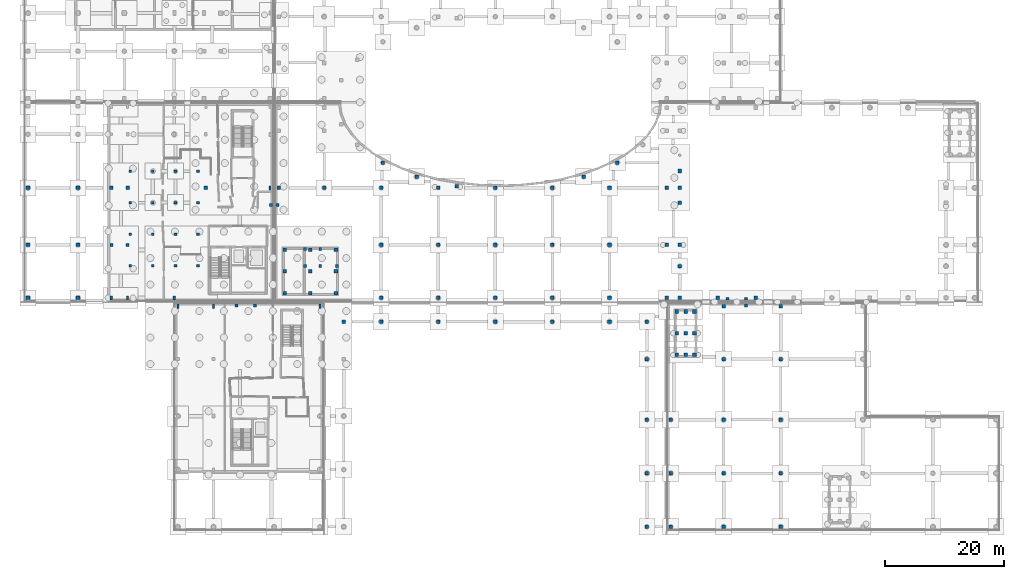
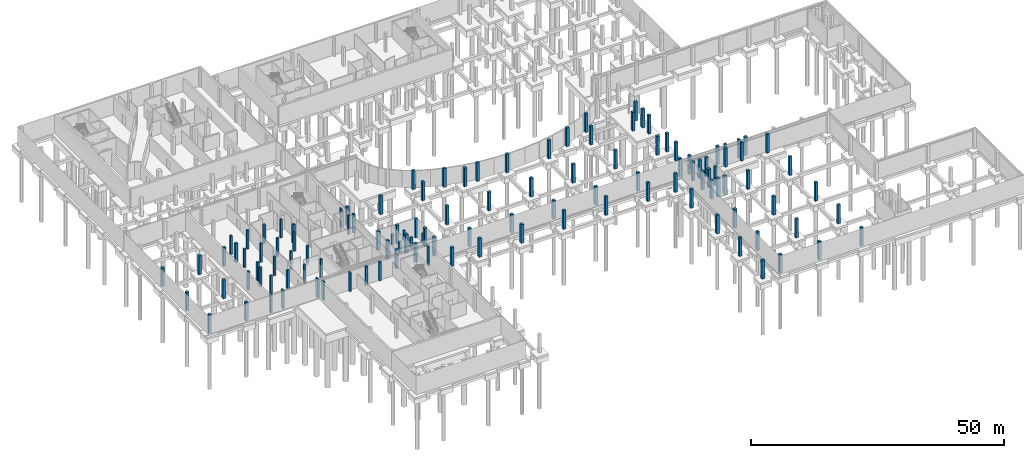
# One storey, part 12 of 40: 121 columns.
"""IFC4 building model written with IfcOpenShell, lengths in metres."""

from ifc_helpers import new_model, si_unit, direction, frame, origin, origin_2d, place, context, subcontext, project, spatial, rectangle, extrude, material, material_profile, profile_set, type_object, element, save


model = new_model("IFC4")

# Units and contexts
model_context = context("Model", 3, precision=1e-05, world=origin(), true_north=direction((0.0, 1.0)))
body_context = subcontext(model_context, "Body", "Model", "MODEL_VIEW")
ifc_project = project(units=[si_unit("LENGTHUNIT", "METRE"), si_unit("AREAUNIT", "SQUARE_METRE"), si_unit("VOLUMEUNIT", "CUBIC_METRE"), si_unit("PLANEANGLEUNIT", "RADIAN"), si_unit("MASSUNIT", "GRAM", prefix="KILO")], contexts=[model_context])

# Site, building, storey
site_placement = place(None, origin())
site = spatial("IfcSite", under=ifc_project, at=site_placement, CompositionType="ELEMENT")
building_placement = place(site_placement, origin())
building = spatial("IfcBuilding", under=site, at=building_placement, Name="Mzevani Central Library", CompositionType="ELEMENT")
storey_placement = place(building_placement, frame((0.0, 0.0, -4.5)))
storey = spatial("IfcBuildingStorey", under=building, at=storey_placement, Name="B1", CompositionType="ELEMENT", Elevation=-4.5)

# Columns
ifc_material = material(Name="Concrete C40/50", Category="concrete")
ifc_material_profile_1 = material_profile(ifc_material, rectangle(XDim=0.449951171875, YDim=0.449951171875, at=origin_2d()), Name="RC 450x450")
ifc_profile_set_1 = profile_set([ifc_material_profile_1], Name="Concrete C40/50")
column_type_1 = type_object("IfcColumnType", Name="Column RC 450x450", PredefinedType="COLUMN", material=ifc_profile_set_1)
for number, where, z_axis, x_axis, name in (
    (1, (21.800048828125, 48.5, 0.0), (0.0, 0.0, 1.0), (1.0, 0.0, 0.0), "B1 Auditorium Raker Pier 1.1"),
    (2, (25.60009765625, 48.5, 0.0), (0.0, 0.0, 1.0), (1.0, 0.0, 0.0), "B1 Auditorium Raker Pier 1.2"),
    (3, (29.39990234375, 48.5, 0.0), (0.0, 0.0, 1.0), (1.0, 0.0, 0.0), "B1 Auditorium Raker Pier 1.3"),
    (4, (33.199951171875, 48.5, 0.0), (0.0, 0.0, 1.0), (1.0, 0.0, 0.0), "B1 Auditorium Raker Pier 1.4"),
    (5, (21.800048828125, 53.800048828125, 0.0), (0.0, 0.0, 1.0), (1.0, 0.0, 0.0), "B1 Auditorium Raker Pier 2.1"),
    (6, (25.60009765625, 53.800048828125, 0.0), (0.0, 0.0, 1.0), (1.0, 0.0, 0.0), "B1 Auditorium Raker Pier 2.2"),
    (7, (29.39990234375, 53.800048828125, 0.0), (0.0, 0.0, 1.0), (1.0, 0.0, 0.0), "B1 Auditorium Raker Pier 2.3"),
    (8, (33.199951171875, 53.800048828125, 0.0), (0.0, 0.0, 1.0), (1.0, 0.0, 0.0), "B1 Auditorium Raker Pier 2.4"),
    (9, (21.800048828125, 59.10009765625, 0.0), (0.0, 0.0, 1.0), (1.0, 0.0, 0.0), "B1 Auditorium Raker Pier 3.1"),
    (10, (25.60009765625, 59.10009765625, 0.0), (0.0, 0.0, 1.0), (1.0, 0.0, 0.0), "B1 Auditorium Raker Pier 3.2"),
    (11, (29.39990234375, 59.10009765625, 0.0), (0.0, 0.0, 1.0), (1.0, 0.0, 0.0), "B1 Auditorium Raker Pier 3.3"),
    (12, (33.199951171875, 59.10009765625, 0.0), (0.0, 0.0, 1.0), (1.0, 0.0, 0.0), "B1 Auditorium Raker Pier 3.4"),
    (13, (21.800048828125, 64.39990234375, 0.0), (0.0, 0.0, 1.0), (1.0, 0.0, 0.0), "B1 Auditorium Raker Pier 4.1"),
    (14, (25.60009765625, 64.39990234375, 0.0), (0.0, 0.0, 1.0), (1.0, 0.0, 0.0), "B1 Auditorium Raker Pier 4.2"),
    (15, (29.39990234375, 64.39990234375, 0.0), (0.0, 0.0, 1.0), (1.0, 0.0, 0.0), "B1 Auditorium Raker Pier 4.3"),
    (16, (33.199951171875, 64.39990234375, 0.0), (0.0, 0.0, 1.0), (1.0, 0.0, 0.0), "B1 Auditorium Raker Pier 4.4"),
):
    element("IfcColumn", number, at=place(storey_placement, frame(where, z_axis=z_axis, x_axis=x_axis)), inside=storey, type_object=column_type_1, Name=name, PredefinedType="COLUMN", context=body_context, shape_type="SweptSolid", body=[
        extrude(rectangle(XDim=0.449951171875, YDim=0.449951171875, at=origin_2d()), origin(), (0.0, 0.0, 1.0), 4.5),
    ])
ifc_material_profile_2 = material_profile(ifc_material, rectangle(XDim=0.5, YDim=0.5, at=origin_2d()), Name="RC 500x500")
ifc_profile_set_2 = profile_set([ifc_material_profile_2], Name="Concrete C40/50")
column_type_2 = type_object("IfcColumnType", Name="Column RC 500x500", PredefinedType="COLUMN", material=ifc_profile_set_2)
for number, where, z_axis, x_axis, name in (
    (17, (18.60009765625, 52.0, 0.0), (0.0, 0.0, 1.0), (1.0, 0.0, 0.0), "B1 V5 Column C-04 (193)"),
    (18, (21.35009765625, 52.0, 0.0), (0.0, 0.0, 1.0), (1.0, 0.0, 0.0), "B1 V5 Column C-04 (198)"),
    (19, (39.64990234375, 41.85009765625, 0.0), (0.0, 0.0, 1.0), (1.0, 0.0, 0.0), "B1 Seismic Joint Corbel Column 1"),
    (20, (42.75, 41.85009765625, 0.0), (0.0, 0.0, 1.0), (1.0, 0.0, 0.0), "B1 Seismic Joint Corbel Column 2"),
    (21, (45.449951171875, 58.75, 0.0), (0.0, 0.0, 1.0), (1.0, 0.0, 0.0), "B1 Seismic Joint Corbel Column 3"),
    (22, (46.550048828125, 58.75, 0.0), (0.0, 0.0, 1.0), (1.0, 0.0, 0.0), "B1 Seismic Joint Corbel Column 5"),
    (23, (122.25, 42.949951171875, 0.0), (0.0, 0.0, 1.0), (1.0, 0.0, 0.0), "B1 Seismic Joint Corbel Column 7"),
    (24, (125.35009765625, 41.85009765625, 0.0), (0.0, 0.0, 1.0), (1.0, 0.0, 0.0), "B1 Seismic Joint Corbel Column 8"),
    (25, (125.35009765625, 42.949951171875, 0.0), (0.0, 0.0, 1.0), (1.0, 0.0, 0.0), "B1 Seismic Joint Corbel Column 9"),
):
    element("IfcColumn", number, at=place(storey_placement, frame(where, z_axis=z_axis, x_axis=x_axis)), inside=storey, type_object=column_type_2, Name=name, PredefinedType="COLUMN", context=body_context, shape_type="SweptSolid", body=[
        extrude(rectangle(XDim=0.5, YDim=0.5, at=origin_2d()), origin(), (0.0, 0.0, 1.0), 4.5),
    ])
for number, where, z_axis, x_axis, name in (
    (26, (51.14990234375, 48.449951171875, 0.0), (0.0, 0.0, 1.0), (1.0, 0.0, 0.0), "B1 Lift LF-P1 Pit Support Pedestal (226)"),
    (27, (51.14990234375, 51.35009765625, 0.0), (0.0, 0.0, 1.0), (1.0, 0.0, 0.0), "B1 Lift LF-P1 Pit Support Pedestal (227)"),
    (28, (53.75, 48.449951171875, 0.0), (0.0, 0.0, 1.0), (1.0, 0.0, 0.0), "B1 Lift LF-P1 Pit Support Pedestal (228)"),
    (29, (53.75, 51.35009765625, 0.0), (0.0, 0.0, 1.0), (1.0, 0.0, 0.0), "B1 Lift LF-P1 Pit Support Pedestal (229)"),
    (30, (56.550048828125, 48.449951171875, 0.0), (0.0, 0.0, 1.0), (1.0, 0.0, 0.0), "B1 Lift LF-P2 Pit Support Pedestal (230)"),
):
    element("IfcColumn", number, at=place(storey_placement, frame(where, z_axis=z_axis, x_axis=x_axis)), inside=storey, type_object=column_type_2, Name=name, PredefinedType="COLUMN", context=body_context, shape_type="SweptSolid", body=[
        extrude(rectangle(XDim=0.5, YDim=0.5, at=origin_2d()), origin(), (0.0, 0.0, 1.0), 2.550048828125),
    ])
ifc_material_profile_3 = material_profile(ifc_material, rectangle(XDim=0.550048828125, YDim=0.550048828125, at=origin_2d()), Name="RC 550x550")
ifc_profile_set_3 = profile_set([ifc_material_profile_3], Name="Concrete C40/50")
column_type_3 = type_object("IfcColumnType", Name="Column RC 550x550", PredefinedType="COLUMN", material=ifc_profile_set_3)
for number, where, z_axis, x_axis, name in (
    (31, (18.60009765625, 61.60009765625, 0.0), (0.0, 0.0, 1.0), (1.0, 0.0, 0.0), "B1 V5 Column C-05 (194)"),
    (32, (21.35009765625, 61.60009765625, 0.0), (0.0, 0.0, 1.0), (1.0, 0.0, 0.0), "B1 V5 Column C-05 (199)"),
    (33, (34.5, 61.60009765625, 0.0), (0.0, 0.0, 1.0), (1.0, 0.0, 0.0), "B1 V5 Column C-05 (205)"),
):
    element("IfcColumn", number, at=place(storey_placement, frame(where, z_axis=z_axis, x_axis=x_axis)), inside=storey, type_object=column_type_3, Name=name, PredefinedType="COLUMN", context=body_context, shape_type="SweptSolid", body=[
        extrude(rectangle(XDim=0.550048828125, YDim=0.550048828125, at=origin_2d()), origin(), (0.0, 0.0, 1.0), 4.5),
    ])
ifc_material_profile_4 = material_profile(ifc_material, rectangle(XDim=0.60009765625, YDim=0.60009765625, at=origin_2d()), Name="RC 600x600")
ifc_profile_set_4 = profile_set([ifc_material_profile_4], Name="Concrete C40/50")
column_type_4 = type_object("IfcColumnType", Name="Column RC 600x600", PredefinedType="COLUMN", material=ifc_profile_set_4)
for number, where, z_axis, x_axis, name in (
    (34, (46.75, 61.60009765625, 0.0), (0.0, 0.0, 1.0), (1.0, 0.0, 0.0), "B1 V1 Foundation Pedestal (1)"),
    (35, (54.39990234375, 61.60009765625, 0.0), (0.0, 0.0, 1.0), (1.0, 0.0, 0.0), "B1 V1 Foundation Pedestal (4)"),
    (36, (64.0, 43.10009765625, 0.0), (0.0, 0.0, 1.0), (1.0, 0.0, 0.0), "B1 V1 Foundation Pedestal (7)"),
    (37, (64.0, 52.0, 0.0), (0.0, 0.0, 1.0), (1.0, 0.0, 0.0), "B1 V1 Foundation Pedestal (8)"),
    (38, (64.0, 61.60009765625, 0.0), (0.0, 0.0, 1.0), (1.0, 0.0, 0.0), "B1 V1 Foundation Pedestal (9)"),
    (39, (73.60009765625, 43.10009765625, 0.0), (0.0, 0.0, 1.0), (1.0, 0.0, 0.0), "B1 V1 Foundation Pedestal (10)"),
    (40, (73.60009765625, 52.0, 0.0), (0.0, 0.0, 1.0), (1.0, 0.0, 0.0), "B1 V1 Foundation Pedestal (11)"),
    (41, (73.60009765625, 61.60009765625, 0.0), (0.0, 0.0, 1.0), (1.0, 0.0, 0.0), "B1 V1 Foundation Pedestal (12)"),
    (42, (83.199951171875, 43.10009765625, 0.0), (0.0, 0.0, 1.0), (1.0, 0.0, 0.0), "B1 V1 Foundation Pedestal (13)"),
    (43, (83.199951171875, 52.0, 0.0), (0.0, 0.0, 1.0), (1.0, 0.0, 0.0), "B1 V1 Foundation Pedestal (14)"),
    (44, (83.199951171875, 61.60009765625, 0.0), (0.0, 0.0, 1.0), (1.0, 0.0, 0.0), "B1 V1 Foundation Pedestal (15)"),
    (45, (92.800048828125, 43.10009765625, 0.0), (0.0, 0.0, 1.0), (1.0, 0.0, 0.0), "B1 V1 Foundation Pedestal (16)"),
    (46, (92.800048828125, 52.0, 0.0), (0.0, 0.0, 1.0), (1.0, 0.0, 0.0), "B1 V1 Foundation Pedestal (17)"),
    (47, (92.800048828125, 61.60009765625, 0.0), (0.0, 0.0, 1.0), (1.0, 0.0, 0.0), "B1 V1 Foundation Pedestal (18)"),
    (48, (102.39990234375, 43.10009765625, 0.0), (0.0, 0.0, 1.0), (1.0, 0.0, 0.0), "B1 V1 Foundation Pedestal (19)"),
    (49, (102.39990234375, 52.0, 0.0), (0.0, 0.0, 1.0), (1.0, 0.0, 0.0), "B1 V1 Foundation Pedestal (20)"),
    (50, (102.39990234375, 61.60009765625, 0.0), (0.0, 0.0, 1.0), (1.0, 0.0, 0.0), "B1 V1 Foundation Pedestal (21)"),
    (51, (112.0, 43.10009765625, 0.0), (0.0, 0.0, 1.0), (1.0, 0.0, 0.0), "B1 V1 Foundation Pedestal (22)"),
    (52, (112.0, 52.0, 0.0), (0.0, 0.0, 1.0), (1.0, 0.0, 0.0), "B1 V1 Foundation Pedestal (23)"),
    (53, (112.0, 61.60009765625, 0.0), (0.0, 0.0, 1.0), (1.0, 0.0, 0.0), "B1 V1 Foundation Pedestal (24)"),
    (54, (114.199951171875, 43.10009765625, 0.0), (0.0, 0.0, 1.0), (1.0, 0.0, 0.0), "B1 V1 Foundation Pedestal (27)"),
    (55, (114.199951171875, 52.0, 0.0), (0.0, 0.0, 1.0), (1.0, 0.0, 0.0), "B1 V1 Foundation Pedestal (28)"),
    (56, (114.199951171875, 61.60009765625, 0.0), (0.0, 0.0, 1.0), (1.0, 0.0, 0.0), "B1 V1 Foundation Pedestal (29)"),
    (57, (120.60009765625, 43.10009765625, 0.0), (0.0, 0.0, 1.0), (1.0, 0.0, 0.0), "B1 V1 Foundation Pedestal (38)"),
    (58, (127.0, 43.10009765625, 0.0), (0.0, 0.0, 1.0), (1.0, 0.0, 0.0), "B1 V1 Foundation Pedestal (40)"),
    (59, (114.199951171875, 48.43310546875, 0.0), (0.0, 0.0, 1.0), (1.0, 0.0, 0.0), "B1 V1 Foundation Pedestal (50)"),
    (60, (114.199951171875, 59.10009765625, 0.0), (0.0, 0.0, 1.0), (1.0, 0.0, 0.0), "B1 V1 Foundation Pedestal (52)"),
    (61, (114.199951171875, 64.43310546875, 0.0), (0.0, 0.0, 1.0), (1.0, 0.0, 0.0), "B1 V1 Foundation Pedestal (54)"),
    (62, (64.2939453125, 65.843994140625, 0.0), (0.0, 0.0, 1.0), (1.0, 0.0, 0.0), "B1 V1 Foundation Pedestal (57)"),
    (63, (69.966064453125, 63.471923828125, 0.0), (0.0, 0.0, 1.0), (1.0, 0.0, 0.0), "B1 V1 Foundation Pedestal (58)"),
    (64, (76.672119140625, 61.904052734375, 0.0), (0.0, 0.0, 1.0), (1.0, 0.0, 0.0), "B1 V1 Foundation Pedestal (59)"),
    (65, (98.033935546875, 63.471923828125, 0.0), (0.0, 0.0, 1.0), (1.0, 0.0, 0.0), "B1 V1 Foundation Pedestal (60)"),
    (66, (103.7060546875, 65.843994140625, 0.0), (0.0, 0.0, 1.0), (1.0, 0.0, 0.0), "B1 V1 Foundation Pedestal (61)"),
    (67, (4.60009765625, 43.10009765625, 0.0), (0.0, 0.0, 1.0), (1.0, 0.0, 0.0), "B1 V5 Foundation Pedestal (141)"),
    (68, (4.60009765625, 52.0, 0.0), (0.0, 0.0, 1.0), (1.0, 0.0, 0.0), "B1 V5 Foundation Pedestal (142)"),
    (69, (4.60009765625, 61.60009765625, 0.0), (0.0, 0.0, 1.0), (1.0, 0.0, 0.0), "B1 V5 Foundation Pedestal (143)"),
    (70, (13.0, 43.10009765625, 0.0), (0.0, 0.0, 1.0), (1.0, 0.0, 0.0), "B1 V5 Foundation Pedestal (146)"),
    (71, (13.0, 52.0, 0.0), (0.0, 0.0, 1.0), (1.0, 0.0, 0.0), "B1 V5 Foundation Pedestal (147)"),
    (72, (13.0, 61.60009765625, 0.0), (0.0, 0.0, 1.0), (1.0, 0.0, 0.0), "B1 V5 Foundation Pedestal (148)"),
    (73, (112.699951171875, 4.60009765625, 0.0), (0.0, 0.0, 1.0), (1.0, 0.0, 0.0), "B1 V6 Foundation Pedestal (151)"),
    (74, (112.699951171875, 13.60009765625, 0.0), (0.0, 0.0, 1.0), (1.0, 0.0, 0.0), "B1 V6 Foundation Pedestal (152)"),
    (75, (112.699951171875, 22.60009765625, 0.0), (0.0, 0.0, 1.0), (1.0, 0.0, 0.0), "B1 V6 Foundation Pedestal (153)"),
    (76, (121.60009765625, 4.60009765625, 0.0), (0.0, 0.0, 1.0), (1.0, 0.0, 0.0), "B1 V6 Foundation Pedestal (154)"),
    (77, (121.60009765625, 13.60009765625, 0.0), (0.0, 0.0, 1.0), (1.0, 0.0, 0.0), "B1 V6 Foundation Pedestal (155)"),
    (78, (121.60009765625, 22.60009765625, 0.0), (0.0, 0.0, 1.0), (1.0, 0.0, 0.0), "B1 V6 Foundation Pedestal (156)"),
    (79, (121.60009765625, 32.800048828125, 0.0), (0.0, 0.0, 1.0), (1.0, 0.0, 0.0), "B1 V6 Foundation Pedestal (157)"),
    (80, (121.60009765625, 41.699951171875, 0.0), (0.0, 0.0, 1.0), (1.0, 0.0, 0.0), "B1 V6 Foundation Pedestal (158)"),
    (81, (131.199951171875, 4.60009765625, 0.0), (0.0, 0.0, 1.0), (1.0, 0.0, 0.0), "B1 V6 Foundation Pedestal (159)"),
    (82, (131.199951171875, 13.60009765625, 0.0), (0.0, 0.0, 1.0), (1.0, 0.0, 0.0), "B1 V6 Foundation Pedestal (160)"),
    (83, (131.199951171875, 22.60009765625, 0.0), (0.0, 0.0, 1.0), (1.0, 0.0, 0.0), "B1 V6 Foundation Pedestal (161)"),
    (84, (131.199951171875, 32.800048828125, 0.0), (0.0, 0.0, 1.0), (1.0, 0.0, 0.0), "B1 V6 Foundation Pedestal (162)"),
    (85, (131.199951171875, 41.699951171875, 0.0), (0.0, 0.0, 1.0), (1.0, 0.0, 0.0), "B1 V6 Foundation Pedestal (163)"),
    (86, (57.699951171875, 39.10009765625, 0.0), (0.0, 0.0, 1.0), (1.0, 0.0, 0.0), "B1 COL Foundation Pedestal (179)"),
    (87, (108.699951171875, 4.60009765625, 0.0), (0.0, 0.0, 1.0), (1.0, 0.0, 0.0), "B1 COL Foundation Pedestal (180)"),
    (88, (108.699951171875, 13.60009765625, 0.0), (0.0, 0.0, 1.0), (1.0, 0.0, 0.0), "B1 COL Foundation Pedestal (181)"),
    (89, (108.699951171875, 22.60009765625, 0.0), (0.0, 0.0, 1.0), (1.0, 0.0, 0.0), "B1 COL Foundation Pedestal (182)"),
    (90, (108.699951171875, 32.800048828125, 0.0), (0.0, 0.0, 1.0), (1.0, 0.0, 0.0), "B1 COL Foundation Pedestal (183)"),
    (91, (108.699951171875, 39.10009765625, 0.0), (0.0, 0.0, 1.0), (1.0, 0.0, 0.0), "B1 COL Foundation Pedestal (184)"),
    (92, (64.0, 39.10009765625, 0.0), (0.0, 0.0, 1.0), (1.0, 0.0, 0.0), "B1 COL Foundation Pedestal (185)"),
    (93, (73.60009765625, 39.10009765625, 0.0), (0.0, 0.0, 1.0), (1.0, 0.0, 0.0), "B1 COL Foundation Pedestal (186)"),
    (94, (83.199951171875, 39.10009765625, 0.0), (0.0, 0.0, 1.0), (1.0, 0.0, 0.0), "B1 COL Foundation Pedestal (187)"),
    (95, (92.800048828125, 39.10009765625, 0.0), (0.0, 0.0, 1.0), (1.0, 0.0, 0.0), "B1 COL Foundation Pedestal (188)"),
    (96, (102.39990234375, 39.10009765625, 0.0), (0.0, 0.0, 1.0), (1.0, 0.0, 0.0), "B1 COL Foundation Pedestal (189)"),
    (97, (47.800048828125, 43.89990234375, 0.0), (0.0, 0.0, 1.0), (1.0, 0.0, 0.0), "B1 V1 Foundation Pedestal (190)"),
    (98, (47.800048828125, 47.550048828125, 0.0), (0.0, 0.0, 1.0), (1.0, 0.0, 0.0), "B1 V1 Foundation Pedestal (191)"),
    (99, (47.800048828125, 51.199951171875, 0.0), (0.0, 0.0, 1.0), (1.0, 0.0, 0.0), "B1 V1 Foundation Pedestal (192)"),
    (100, (52.10009765625, 43.89990234375, 0.0), (0.0, 0.0, 1.0), (1.0, 0.0, 0.0), "B1 V1 Foundation Pedestal (193)"),
    (101, (52.10009765625, 47.550048828125, 0.0), (0.0, 0.0, 1.0), (1.0, 0.0, 0.0), "B1 V1 Foundation Pedestal (194)"),
    (102, (52.10009765625, 51.199951171875, 0.0), (0.0, 0.0, 1.0), (1.0, 0.0, 0.0), "B1 V1 Foundation Pedestal (195)"),
    (103, (56.39990234375, 43.89990234375, 0.0), (0.0, 0.0, 1.0), (1.0, 0.0, 0.0), "B1 V1 Foundation Pedestal (196)"),
    (104, (56.39990234375, 47.550048828125, 0.0), (0.0, 0.0, 1.0), (1.0, 0.0, 0.0), "B1 V1 Foundation Pedestal (197)"),
    (105, (56.39990234375, 51.199951171875, 0.0), (0.0, 0.0, 1.0), (1.0, 0.0, 0.0), "B1 V1 Foundation Pedestal (198)"),
    (106, (113.699951171875, 33.5, 0.0), (0.0, 0.0, 1.0), (1.0, 0.0, 0.0), "B1 V6 Foundation Pedestal (208)"),
    (107, (113.699951171875, 37.14990234375, 0.0), (0.0, 0.0, 1.0), (1.0, 0.0, 0.0), "B1 V6 Foundation Pedestal (209)"),
    (108, (113.699951171875, 40.800048828125, 0.0), (0.0, 0.0, 1.0), (1.0, 0.0, 0.0), "B1 V6 Foundation Pedestal (210)"),
    (109, (115.199951171875, 33.5, 0.0), (0.0, 0.0, 1.0), (1.0, 0.0, 0.0), "B1 V6 Foundation Pedestal (211)"),
    (110, (115.199951171875, 37.14990234375, 0.0), (0.0, 0.0, 1.0), (1.0, 0.0, 0.0), "B1 V6 Foundation Pedestal (212)"),
    (111, (115.199951171875, 40.800048828125, 0.0), (0.0, 0.0, 1.0), (1.0, 0.0, 0.0), "B1 V6 Foundation Pedestal (213)"),
    (112, (116.699951171875, 33.5, 0.0), (0.0, 0.0, 1.0), (1.0, 0.0, 0.0), "B1 V6 Foundation Pedestal (214)"),
    (113, (116.699951171875, 37.14990234375, 0.0), (0.0, 0.0, 1.0), (1.0, 0.0, 0.0), "B1 V6 Foundation Pedestal (215)"),
    (114, (116.699951171875, 40.800048828125, 0.0), (0.0, 0.0, 1.0), (1.0, 0.0, 0.0), "B1 V6 Foundation Pedestal (216)"),
):
    element("IfcColumn", number, at=place(storey_placement, frame(where, z_axis=z_axis, x_axis=x_axis)), inside=storey, type_object=column_type_4, Name=name, PredefinedType="COLUMN", context=body_context, shape_type="SweptSolid", body=[
        extrude(rectangle(XDim=0.60009765625, YDim=0.60009765625, at=origin_2d()), origin(), (0.0, 0.0, 1.0), 4.5),
    ])
ifc_material_profile_5 = material_profile(ifc_material, rectangle(XDim=0.35009765625, YDim=0.699951171875, at=origin_2d()), Name="RC 350x700")
ifc_profile_set_5 = profile_set([ifc_material_profile_5], Name="Concrete C40/50")
column_type_5 = type_object("IfcColumnType", Name="Joint Twin Column RC 350x700", PredefinedType="COLUMN", material=ifc_profile_set_5)
for number, where, z_axis, x_axis, name in (
    (115, (29.800048828125, 41.699951171875, 0.0), (0.0, 0.0, 1.0), (1.0, 0.0, 0.0), "B1 V4 Column C-18 (170)"),
    (116, (35.800048828125, 41.699951171875, 0.0), (0.0, 0.0, 1.0), (1.0, 0.0, 0.0), "B1 V4 Column C-18 (175)"),
    (117, (53.699951171875, 41.699951171875, 0.0), (0.0, 0.0, 1.0), (1.0, 0.0, 0.0), "B1 V4 Column C-18 (181)"),
    (118, (18.60009765625, 43.10009765625, 0.0), (0.0, 0.0, 1.0), (1.0, 0.0, 0.0), "B1 V5 Column C-18 (192)"),
    (119, (21.35009765625, 43.10009765625, 0.0), (0.0, 0.0, 1.0), (1.0, 0.0, 0.0), "B1 V5 Column C-18 (197)"),
    (120, (29.199951171875, 43.10009765625, 0.0), (0.0, 0.0, 1.0), (1.0, 0.0, 0.0), "B1 V5 Column C-18 (202)"),
    (121, (45.300048828125, 61.60009765625, 0.0), (0.0, 0.0, 1.0), (1.0, 0.0, 0.0), "B1 V5 Column C-18 (208)"),
):
    element("IfcColumn", number, at=place(storey_placement, frame(where, z_axis=z_axis, x_axis=x_axis)), inside=storey, type_object=column_type_5, Name=name, PredefinedType="COLUMN", context=body_context, shape_type="SweptSolid", body=[
        extrude(rectangle(XDim=0.35009765625, YDim=0.699951171875, at=origin_2d()), origin(), (0.0, 0.0, 1.0), 4.5),
    ])

save(model, "model.ifc")
